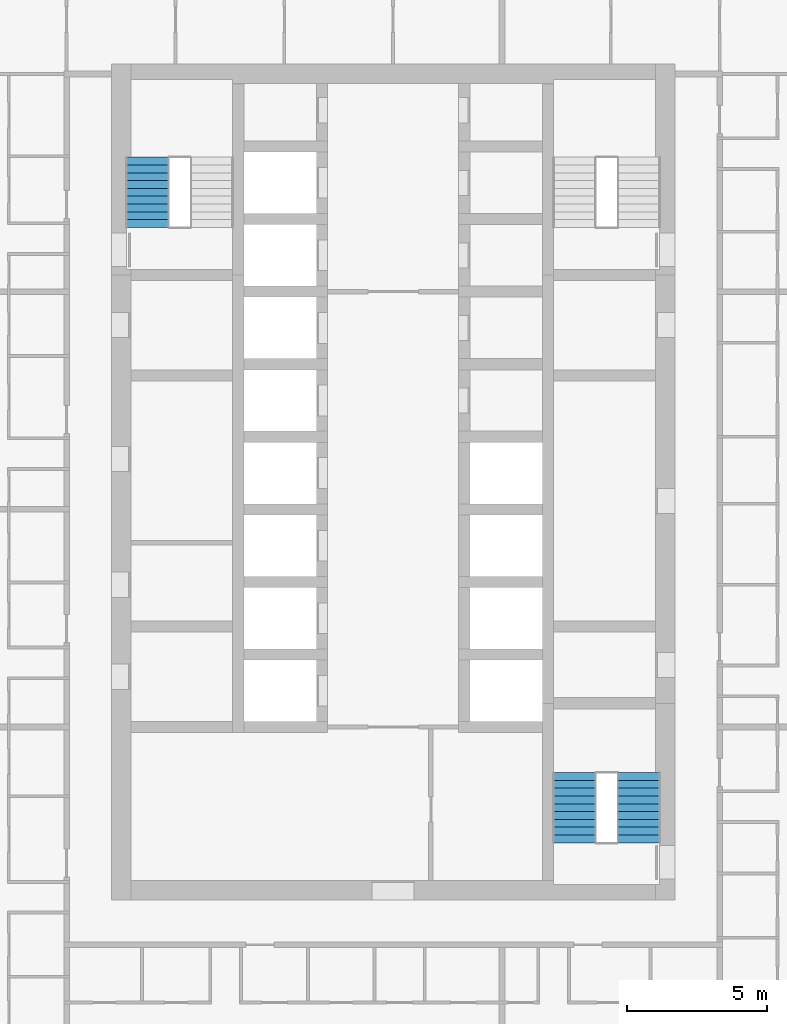
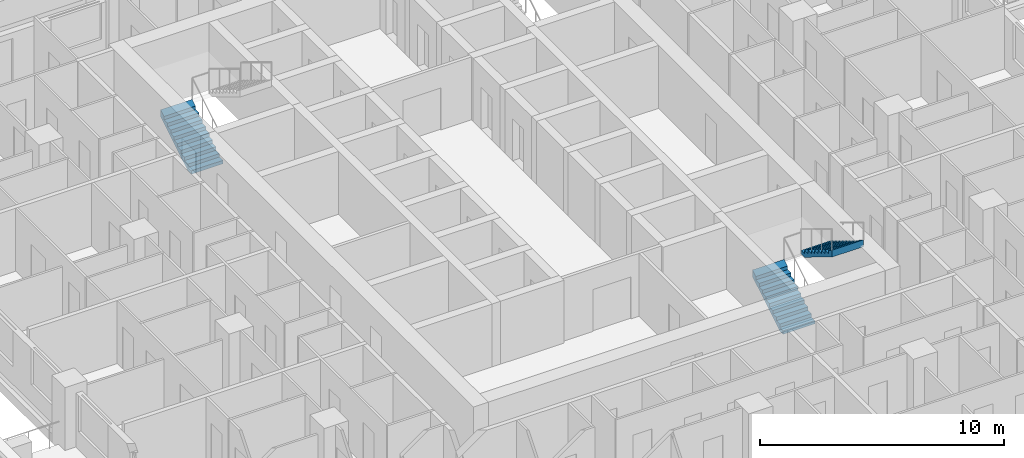
# One storey, part 14 of 18: 3 stair flights, 2 elements without a shape of their own.
"""IFC4 building model written with IfcOpenShell, lengths in metres."""

from ifc_helpers import new_model, si_unit, direction, frame, origin, place, context, subcontext, project, spatial, triangles, material, type_object, element, aggregate, save


model = new_model("IFC4")

# Units and contexts
model_context = context("Model", 3, precision=1e-05, world=origin(), true_north=direction((0.0, 1.0)))
body_context = subcontext(model_context, "Body", "Model", "MODEL_VIEW")
ifc_project = project(units=[si_unit("LENGTHUNIT", "METRE"), si_unit("AREAUNIT", "SQUARE_METRE"), si_unit("VOLUMEUNIT", "CUBIC_METRE"), si_unit("PLANEANGLEUNIT", "RADIAN"), si_unit("MASSUNIT", "GRAM", prefix="KILO")], contexts=[model_context])

# Site, building, storey
site_placement = place(None, origin())
site = spatial("IfcSite", under=ifc_project, at=site_placement, CompositionType="ELEMENT")
building_placement = place(site_placement, origin())
building = spatial("IfcBuilding", under=site, at=building_placement, Name="Ludao Terraces", CompositionType="ELEMENT")
storey_placement = place(building_placement, frame((0.0, 0.0, 26.300048828125)))
storey = spatial("IfcBuildingStorey", under=building, at=storey_placement, Name="L06", CompositionType="ELEMENT", Elevation=26.300048828125)

# Stair, stair flight
ifc_material = material(Name="Concrete C40", Category="concrete")
stair_type = type_object("IfcStairType", Name="INT Stair", PredefinedType="HALF_TURN_STAIR", material=ifc_material)
stair_1_placement = place(storey_placement, origin())
stair_1 = element("IfcStair", 1, at=stair_1_placement, inside=storey, type_object=stair_type, Name="EXIT STAIR 1", PredefinedType="HALF_TURN_STAIR")
stair_flight_type = type_object("IfcStairFlightType", Name="INT Stair flight", PredefinedType="STRAIGHT", material=ifc_material)
stair_flight_1_placement = place(storey_placement, frame((76.199951171875, 79.0, 0.0), z_axis=(0.0, 0.0, 1.0), x_axis=(0.0, 1.0, 0.0)))
stair_flight_1 = element("IfcStairFlight", 2, at=stair_flight_1_placement, type_object=stair_flight_type, Name="ST1 flight 1", NumberOfRisers=10, NumberOfTreads=9, PredefinedType="STRAIGHT", RiserHeight=0.17, TreadLength=0.28, context=body_context, shape_type="Tessellation", body=[
    triangles([(0.0, -0.75, 0.0), (0.0, -0.5, 0.0), (0.0, -0.25, 0.0), (0.0, 0.0, 0.0), (0.0, 0.25, 0.0), (0.0, 0.5, 0.0), (0.0, 0.75, 0.0), (0.0, -0.75, 0.169921875), (0.0, -0.5, 0.169921875), (0.0, -0.25, 0.169921875), (0.0, 0.0, 0.169921875), (0.0, 0.25, 0.169921875), (0.0, 0.5, 0.169921875), (0.0, 0.75, 0.169921875), (0.280029296875, -0.75, 0.169921875), (0.280029296875, -0.5, 0.169921875), (0.280029296875, -0.25, 0.169921875), (0.280029296875, 0.0, 0.169921875), (0.280029296875, 0.25, 0.169921875), (0.280029296875, 0.5, 0.169921875), (0.280029296875, 0.75, 0.169921875), (0.280029296875, -0.75, 0.340087890625), (0.280029296875, -0.5, 0.340087890625), (0.280029296875, -0.25, 0.340087890625), (0.280029296875, 0.0, 0.340087890625), (0.280029296875, 0.25, 0.340087890625), (0.280029296875, 0.5, 0.340087890625), (0.280029296875, 0.75, 0.340087890625), (0.56005859375, -0.75, 0.340087890625), (0.56005859375, -0.5, 0.340087890625), (0.56005859375, -0.25, 0.340087890625), (0.56005859375, 0.0, 0.340087890625), (0.56005859375, 0.25, 0.340087890625), (0.56005859375, 0.5, 0.340087890625), (0.56005859375, 0.75, 0.340087890625), (0.56005859375, -0.75, 0.510009765625), (0.56005859375, -0.5, 0.510009765625), (0.56005859375, -0.25, 0.510009765625), (0.56005859375, 0.0, 0.510009765625), (0.56005859375, 0.25, 0.510009765625), (0.56005859375, 0.5, 0.510009765625), (0.56005859375, 0.75, 0.510009765625), (0.840087890625, -0.75, 0.510009765625), (0.840087890625, -0.5, 0.510009765625), (0.840087890625, -0.25, 0.510009765625), (0.840087890625, 0.0, 0.510009765625), (0.840087890625, 0.25, 0.510009765625), (0.840087890625, 0.5, 0.510009765625), (0.840087890625, 0.75, 0.510009765625), (0.840087890625, -0.75, 0.679931640625), (0.840087890625, -0.5, 0.679931640625), (0.840087890625, -0.25, 0.679931640625), (0.840087890625, 0.0, 0.679931640625), (0.840087890625, 0.25, 0.679931640625), (0.840087890625, 0.5, 0.679931640625), (0.840087890625, 0.75, 0.679931640625), (1.1201171875, -0.75, 0.679931640625), (1.1201171875, -0.5, 0.679931640625), (1.1201171875, -0.25, 0.679931640625), (1.1201171875, 0.0, 0.679931640625), (1.1201171875, 0.25, 0.679931640625), (1.1201171875, 0.5, 0.679931640625), (1.1201171875, 0.75, 0.679931640625), (1.1201171875, -0.75, 0.85009765625), (1.1201171875, -0.5, 0.85009765625), (1.1201171875, -0.25, 0.85009765625), (1.1201171875, 0.0, 0.85009765625), (1.1201171875, 0.25, 0.85009765625), (1.1201171875, 0.5, 0.85009765625), (1.1201171875, 0.75, 0.85009765625), (1.39990234375, -0.75, 0.85009765625), (1.39990234375, -0.5, 0.85009765625), (1.39990234375, -0.25, 0.85009765625), (1.39990234375, 0.0, 0.85009765625), (1.39990234375, 0.25, 0.85009765625), (1.39990234375, 0.5, 0.85009765625), (1.39990234375, 0.75, 0.85009765625), (1.39990234375, -0.75, 1.02001953125), (1.39990234375, -0.5, 1.02001953125), (1.39990234375, -0.25, 1.02001953125), (1.39990234375, 0.0, 1.02001953125), (1.39990234375, 0.25, 1.02001953125), (1.39990234375, 0.5, 1.02001953125), (1.39990234375, 0.75, 1.02001953125), (1.679931640625, -0.75, 1.02001953125), (1.679931640625, -0.5, 1.02001953125), (1.679931640625, -0.25, 1.02001953125), (1.679931640625, 0.0, 1.02001953125), (1.679931640625, 0.25, 1.02001953125), (1.679931640625, 0.5, 1.02001953125), (1.679931640625, 0.75, 1.02001953125), (1.679931640625, -0.75, 1.18994140625), (1.679931640625, -0.5, 1.18994140625), (1.679931640625, -0.25, 1.18994140625), (1.679931640625, 0.0, 1.18994140625), (1.679931640625, 0.25, 1.18994140625), (1.679931640625, 0.5, 1.18994140625), (1.679931640625, 0.75, 1.18994140625), (1.9599609375, -0.75, 1.18994140625), (1.9599609375, -0.5, 1.18994140625), (1.9599609375, -0.25, 1.18994140625), (1.9599609375, 0.0, 1.18994140625), (1.9599609375, 0.25, 1.18994140625), (1.9599609375, 0.5, 1.18994140625), (1.9599609375, 0.75, 1.18994140625), (1.9599609375, -0.75, 1.360107421875), (1.9599609375, -0.5, 1.360107421875), (1.9599609375, -0.25, 1.360107421875), (1.9599609375, 0.0, 1.360107421875), (1.9599609375, 0.25, 1.360107421875), (1.9599609375, 0.5, 1.360107421875), (1.9599609375, 0.75, 1.360107421875), (2.239990234375, -0.75, 1.360107421875), (2.239990234375, -0.5, 1.360107421875), (2.239990234375, -0.25, 1.360107421875), (2.239990234375, 0.0, 1.360107421875), (2.239990234375, 0.25, 1.360107421875), (2.239990234375, 0.5, 1.360107421875), (2.239990234375, 0.75, 1.360107421875), (2.239990234375, -0.75, 1.530029296875), (2.239990234375, -0.5, 1.530029296875), (2.239990234375, -0.25, 1.530029296875), (2.239990234375, 0.0, 1.530029296875), (2.239990234375, 0.25, 1.530029296875), (2.239990234375, 0.5, 1.530029296875), (2.239990234375, 0.75, 1.530029296875), (2.52001953125, -0.75, 1.699951171875), (2.52001953125, -0.5, 1.699951171875), (2.52001953125, -0.25, 1.699951171875), (2.52001953125, 0.0, 1.699951171875), (2.52001953125, 0.25, 1.699951171875), (2.52001953125, 0.5, 1.699951171875), (2.52001953125, 0.75, 1.699951171875), (2.52001953125, -0.75, 1.354736328125), (2.52001953125, -0.5, 1.354736328125), (2.52001953125, -0.25, 1.354736328125), (2.52001953125, 0.0, 1.354736328125), (2.52001953125, 0.25, 1.354736328125), (2.52001953125, 0.5, 1.354736328125), (2.52001953125, 0.75, 1.354736328125), (0.288818359375, -0.75, 0.0), (0.288818359375, -0.5, 0.0), (0.288818359375, -0.25, 0.0), (0.288818359375, 0.0, 0.0), (0.288818359375, 0.25, 0.0), (0.288818359375, 0.5, 0.0), (0.288818359375, 0.75, 0.0)], [[1, 141, 134], [7, 140, 147], [134, 127, 120], [140, 126, 133], [134, 120, 113], [140, 119, 126], [134, 113, 106], [140, 112, 119], [134, 106, 99], [140, 105, 112], [99, 92, 85], [105, 91, 98], [134, 99, 85], [140, 91, 105], [85, 78, 71], [91, 77, 84], [134, 85, 71], [140, 77, 91], [71, 64, 57], [77, 63, 70], [134, 71, 57], [140, 63, 77], [57, 50, 43], [63, 49, 56], [134, 57, 43], [140, 49, 63], [43, 36, 29], [49, 35, 42], [134, 43, 29], [140, 35, 49], [29, 22, 15], [35, 21, 28], [134, 29, 15], [140, 21, 35], [1, 134, 15], [7, 21, 140], [15, 8, 1], [21, 7, 14], [1, 9, 2], [1, 8, 9], [2, 10, 3], [2, 9, 10], [3, 11, 4], [3, 10, 11], [4, 12, 5], [4, 11, 12], [5, 13, 6], [5, 12, 13], [6, 14, 7], [6, 13, 14], [8, 16, 9], [8, 15, 16], [9, 17, 10], [9, 16, 17], [10, 18, 11], [10, 17, 18], [11, 19, 12], [11, 18, 19], [12, 20, 13], [12, 19, 20], [13, 21, 14], [13, 20, 21], [15, 23, 16], [15, 22, 23], [16, 24, 17], [16, 23, 24], [17, 25, 18], [17, 24, 25], [18, 26, 19], [18, 25, 26], [19, 27, 20], [19, 26, 27], [20, 28, 21], [20, 27, 28], [22, 30, 23], [22, 29, 30], [23, 31, 24], [23, 30, 31], [24, 32, 25], [24, 31, 32], [25, 33, 26], [25, 32, 33], [26, 34, 27], [26, 33, 34], [27, 35, 28], [27, 34, 35], [29, 37, 30], [29, 36, 37], [30, 38, 31], [30, 37, 38], [31, 39, 32], [31, 38, 39], [32, 40, 33], [32, 39, 40], [33, 41, 34], [33, 40, 41], [34, 42, 35], [34, 41, 42], [36, 44, 37], [36, 43, 44], [37, 45, 38], [37, 44, 45], [38, 46, 39], [38, 45, 46], [39, 47, 40], [39, 46, 47], [40, 48, 41], [40, 47, 48], [41, 49, 42], [41, 48, 49], [43, 51, 44], [43, 50, 51], [44, 52, 45], [44, 51, 52], [45, 53, 46], [45, 52, 53], [46, 54, 47], [46, 53, 54], [47, 55, 48], [47, 54, 55], [48, 56, 49], [48, 55, 56], [50, 58, 51], [50, 57, 58], [51, 59, 52], [51, 58, 59], [52, 60, 53], [52, 59, 60], [53, 61, 54], [53, 60, 61], [54, 62, 55], [54, 61, 62], [55, 63, 56], [55, 62, 63], [57, 65, 58], [57, 64, 65], [58, 66, 59], [58, 65, 66], [59, 67, 60], [59, 66, 67], [60, 68, 61], [60, 67, 68], [61, 69, 62], [61, 68, 69], [62, 70, 63], [62, 69, 70], [64, 72, 65], [64, 71, 72], [65, 73, 66], [65, 72, 73], [66, 74, 67], [66, 73, 74], [67, 75, 68], [67, 74, 75], [68, 76, 69], [68, 75, 76], [69, 77, 70], [69, 76, 77], [71, 79, 72], [71, 78, 79], [72, 80, 73], [72, 79, 80], [73, 81, 74], [73, 80, 81], [74, 82, 75], [74, 81, 82], [75, 83, 76], [75, 82, 83], [76, 84, 77], [76, 83, 84], [78, 86, 79], [78, 85, 86], [79, 87, 80], [79, 86, 87], [80, 88, 81], [80, 87, 88], [81, 89, 82], [81, 88, 89], [82, 90, 83], [82, 89, 90], [83, 91, 84], [83, 90, 91], [85, 93, 86], [85, 92, 93], [86, 94, 87], [86, 93, 94], [87, 95, 88], [87, 94, 95], [88, 96, 89], [88, 95, 96], [89, 97, 90], [89, 96, 97], [90, 98, 91], [90, 97, 98], [92, 100, 93], [92, 99, 100], [93, 101, 94], [93, 100, 101], [94, 102, 95], [94, 101, 102], [95, 103, 96], [95, 102, 103], [96, 104, 97], [96, 103, 104], [97, 105, 98], [97, 104, 105], [99, 107, 100], [99, 106, 107], [100, 108, 101], [100, 107, 108], [101, 109, 102], [101, 108, 109], [102, 110, 103], [102, 109, 110], [103, 111, 104], [103, 110, 111], [104, 112, 105], [104, 111, 112], [106, 114, 107], [106, 113, 114], [107, 115, 108], [107, 114, 115], [108, 116, 109], [108, 115, 116], [109, 117, 110], [109, 116, 117], [110, 118, 111], [110, 117, 118], [111, 119, 112], [111, 118, 119], [113, 121, 114], [113, 120, 121], [114, 122, 115], [114, 121, 122], [115, 123, 116], [115, 122, 123], [116, 124, 117], [116, 123, 124], [117, 125, 118], [117, 124, 125], [118, 126, 119], [118, 125, 126], [120, 128, 121], [120, 127, 128], [121, 129, 122], [121, 128, 129], [122, 130, 123], [122, 129, 130], [123, 131, 124], [123, 130, 131], [124, 132, 125], [124, 131, 132], [125, 133, 126], [125, 132, 133], [127, 135, 128], [127, 134, 135], [128, 136, 129], [128, 135, 136], [129, 137, 130], [129, 136, 137], [130, 138, 131], [130, 137, 138], [131, 139, 132], [131, 138, 139], [132, 140, 133], [132, 139, 140], [134, 142, 135], [134, 141, 142], [135, 143, 136], [135, 142, 143], [136, 144, 137], [136, 143, 144], [137, 145, 138], [137, 144, 145], [138, 146, 139], [138, 145, 146], [139, 147, 140], [139, 146, 147], [141, 2, 142], [141, 1, 2], [142, 3, 143], [142, 2, 3], [143, 4, 144], [143, 3, 4], [144, 5, 145], [144, 4, 5], [145, 6, 146], [145, 5, 6], [146, 7, 147], [146, 6, 7]], closed=True),
])
aggregate(stair_1, [stair_flight_1])

# Stair, stair flights
stair_2_placement = place(storey_placement, origin())
stair_2 = element("IfcStair", 3, at=stair_2_placement, inside=storey, type_object=stair_type, Name="EXIT STAIR 3", PredefinedType="HALF_TURN_STAIR")
stair_flight_2_placement = place(storey_placement, frame((91.5, 56.949951171875, 0.0), z_axis=(0.0, 0.0, 1.0), x_axis=(0.0, 1.0, 0.0)))
stair_flight_2 = element("IfcStairFlight", 4, at=stair_flight_2_placement, type_object=stair_flight_type, Name="ST3 flight 1", NumberOfRisers=10, NumberOfTreads=9, PredefinedType="STRAIGHT", RiserHeight=0.17, TreadLength=0.28, context=body_context, shape_type="Tessellation", body=[
    triangles([(0.0, -0.75, 0.0), (0.0, -0.5, 0.0), (0.0, -0.25, 0.0), (0.0, 0.0, 0.0), (0.0, 0.25, 0.0), (0.0, 0.5, 0.0), (0.0, 0.75, 0.0), (0.0, -0.75, 0.169921875), (0.0, -0.5, 0.169921875), (0.0, -0.25, 0.169921875), (0.0, 0.0, 0.169921875), (0.0, 0.25, 0.169921875), (0.0, 0.5, 0.169921875), (0.0, 0.75, 0.169921875), (0.280029296875, -0.75, 0.169921875), (0.280029296875, -0.5, 0.169921875), (0.280029296875, -0.25, 0.169921875), (0.280029296875, 0.0, 0.169921875), (0.280029296875, 0.25, 0.169921875), (0.280029296875, 0.5, 0.169921875), (0.280029296875, 0.75, 0.169921875), (0.280029296875, -0.75, 0.340087890625), (0.280029296875, -0.5, 0.340087890625), (0.280029296875, -0.25, 0.340087890625), (0.280029296875, 0.0, 0.340087890625), (0.280029296875, 0.25, 0.340087890625), (0.280029296875, 0.5, 0.340087890625), (0.280029296875, 0.75, 0.340087890625), (0.56005859375, -0.75, 0.340087890625), (0.56005859375, -0.5, 0.340087890625), (0.56005859375, -0.25, 0.340087890625), (0.56005859375, 0.0, 0.340087890625), (0.56005859375, 0.25, 0.340087890625), (0.56005859375, 0.5, 0.340087890625), (0.56005859375, 0.75, 0.340087890625), (0.56005859375, -0.75, 0.510009765625), (0.56005859375, -0.5, 0.510009765625), (0.56005859375, -0.25, 0.510009765625), (0.56005859375, 0.0, 0.510009765625), (0.56005859375, 0.25, 0.510009765625), (0.56005859375, 0.5, 0.510009765625), (0.56005859375, 0.75, 0.510009765625), (0.840087890625, -0.75, 0.510009765625), (0.840087890625, -0.5, 0.510009765625), (0.840087890625, -0.25, 0.510009765625), (0.840087890625, 0.0, 0.510009765625), (0.840087890625, 0.25, 0.510009765625), (0.840087890625, 0.5, 0.510009765625), (0.840087890625, 0.75, 0.510009765625), (0.840087890625, -0.75, 0.679931640625), (0.840087890625, -0.5, 0.679931640625), (0.840087890625, -0.25, 0.679931640625), (0.840087890625, 0.0, 0.679931640625), (0.840087890625, 0.25, 0.679931640625), (0.840087890625, 0.5, 0.679931640625), (0.840087890625, 0.75, 0.679931640625), (1.1201171875, -0.75, 0.679931640625), (1.1201171875, -0.5, 0.679931640625), (1.1201171875, -0.25, 0.679931640625), (1.1201171875, 0.0, 0.679931640625), (1.1201171875, 0.25, 0.679931640625), (1.1201171875, 0.5, 0.679931640625), (1.1201171875, 0.75, 0.679931640625), (1.1201171875, -0.75, 0.85009765625), (1.1201171875, -0.5, 0.85009765625), (1.1201171875, -0.25, 0.85009765625), (1.1201171875, 0.0, 0.85009765625), (1.1201171875, 0.25, 0.85009765625), (1.1201171875, 0.5, 0.85009765625), (1.1201171875, 0.75, 0.85009765625), (1.39990234375, -0.75, 0.85009765625), (1.39990234375, -0.5, 0.85009765625), (1.39990234375, -0.25, 0.85009765625), (1.39990234375, 0.0, 0.85009765625), (1.39990234375, 0.25, 0.85009765625), (1.39990234375, 0.5, 0.85009765625), (1.39990234375, 0.75, 0.85009765625), (1.39990234375, -0.75, 1.02001953125), (1.39990234375, -0.5, 1.02001953125), (1.39990234375, -0.25, 1.02001953125), (1.39990234375, 0.0, 1.02001953125), (1.39990234375, 0.25, 1.02001953125), (1.39990234375, 0.5, 1.02001953125), (1.39990234375, 0.75, 1.02001953125), (1.679931640625, -0.75, 1.02001953125), (1.679931640625, -0.5, 1.02001953125), (1.679931640625, -0.25, 1.02001953125), (1.679931640625, 0.0, 1.02001953125), (1.679931640625, 0.25, 1.02001953125), (1.679931640625, 0.5, 1.02001953125), (1.679931640625, 0.75, 1.02001953125), (1.679931640625, -0.75, 1.18994140625), (1.679931640625, -0.5, 1.18994140625), (1.679931640625, -0.25, 1.18994140625), (1.679931640625, 0.0, 1.18994140625), (1.679931640625, 0.25, 1.18994140625), (1.679931640625, 0.5, 1.18994140625), (1.679931640625, 0.75, 1.18994140625), (1.9599609375, -0.75, 1.18994140625), (1.9599609375, -0.5, 1.18994140625), (1.9599609375, -0.25, 1.18994140625), (1.9599609375, 0.0, 1.18994140625), (1.9599609375, 0.25, 1.18994140625), (1.9599609375, 0.5, 1.18994140625), (1.9599609375, 0.75, 1.18994140625), (1.9599609375, -0.75, 1.360107421875), (1.9599609375, -0.5, 1.360107421875), (1.9599609375, -0.25, 1.360107421875), (1.9599609375, 0.0, 1.360107421875), (1.9599609375, 0.25, 1.360107421875), (1.9599609375, 0.5, 1.360107421875), (1.9599609375, 0.75, 1.360107421875), (2.239990234375, -0.75, 1.360107421875), (2.239990234375, -0.5, 1.360107421875), (2.239990234375, -0.25, 1.360107421875), (2.239990234375, 0.0, 1.360107421875), (2.239990234375, 0.25, 1.360107421875), (2.239990234375, 0.5, 1.360107421875), (2.239990234375, 0.75, 1.360107421875), (2.239990234375, -0.75, 1.530029296875), (2.239990234375, -0.5, 1.530029296875), (2.239990234375, -0.25, 1.530029296875), (2.239990234375, 0.0, 1.530029296875), (2.239990234375, 0.25, 1.530029296875), (2.239990234375, 0.5, 1.530029296875), (2.239990234375, 0.75, 1.530029296875), (2.52001953125, -0.75, 1.699951171875), (2.52001953125, -0.5, 1.699951171875), (2.52001953125, -0.25, 1.699951171875), (2.52001953125, 0.0, 1.699951171875), (2.52001953125, 0.25, 1.699951171875), (2.52001953125, 0.5, 1.699951171875), (2.52001953125, 0.75, 1.699951171875), (2.52001953125, -0.75, 1.354736328125), (2.52001953125, -0.5, 1.354736328125), (2.52001953125, -0.25, 1.354736328125), (2.52001953125, 0.0, 1.354736328125), (2.52001953125, 0.25, 1.354736328125), (2.52001953125, 0.5, 1.354736328125), (2.52001953125, 0.75, 1.354736328125), (0.288818359375, -0.75, 0.0), (0.288818359375, -0.5, 0.0), (0.288818359375, -0.25, 0.0), (0.288818359375, 0.0, 0.0), (0.288818359375, 0.25, 0.0), (0.288818359375, 0.5, 0.0), (0.288818359375, 0.75, 0.0)], [[1, 141, 134], [7, 140, 147], [134, 127, 120], [140, 126, 133], [134, 120, 113], [140, 119, 126], [134, 113, 106], [140, 112, 119], [134, 106, 99], [140, 105, 112], [99, 92, 85], [105, 91, 98], [134, 99, 85], [140, 91, 105], [85, 78, 71], [91, 77, 84], [134, 85, 71], [140, 77, 91], [71, 64, 57], [77, 63, 70], [134, 71, 57], [140, 63, 77], [57, 50, 43], [63, 49, 56], [134, 57, 43], [140, 49, 63], [43, 36, 29], [49, 35, 42], [134, 43, 29], [140, 35, 49], [29, 22, 15], [35, 21, 28], [134, 29, 15], [140, 21, 35], [1, 134, 15], [7, 21, 140], [15, 8, 1], [21, 7, 14], [1, 9, 2], [1, 8, 9], [2, 10, 3], [2, 9, 10], [3, 11, 4], [3, 10, 11], [4, 12, 5], [4, 11, 12], [5, 13, 6], [5, 12, 13], [6, 14, 7], [6, 13, 14], [8, 16, 9], [8, 15, 16], [9, 17, 10], [9, 16, 17], [10, 18, 11], [10, 17, 18], [11, 19, 12], [11, 18, 19], [12, 20, 13], [12, 19, 20], [13, 21, 14], [13, 20, 21], [15, 23, 16], [15, 22, 23], [16, 24, 17], [16, 23, 24], [17, 25, 18], [17, 24, 25], [18, 26, 19], [18, 25, 26], [19, 27, 20], [19, 26, 27], [20, 28, 21], [20, 27, 28], [22, 30, 23], [22, 29, 30], [23, 31, 24], [23, 30, 31], [24, 32, 25], [24, 31, 32], [25, 33, 26], [25, 32, 33], [26, 34, 27], [26, 33, 34], [27, 35, 28], [27, 34, 35], [29, 37, 30], [29, 36, 37], [30, 38, 31], [30, 37, 38], [31, 39, 32], [31, 38, 39], [32, 40, 33], [32, 39, 40], [33, 41, 34], [33, 40, 41], [34, 42, 35], [34, 41, 42], [36, 44, 37], [36, 43, 44], [37, 45, 38], [37, 44, 45], [38, 46, 39], [38, 45, 46], [39, 47, 40], [39, 46, 47], [40, 48, 41], [40, 47, 48], [41, 49, 42], [41, 48, 49], [43, 51, 44], [43, 50, 51], [44, 52, 45], [44, 51, 52], [45, 53, 46], [45, 52, 53], [46, 54, 47], [46, 53, 54], [47, 55, 48], [47, 54, 55], [48, 56, 49], [48, 55, 56], [50, 58, 51], [50, 57, 58], [51, 59, 52], [51, 58, 59], [52, 60, 53], [52, 59, 60], [53, 61, 54], [53, 60, 61], [54, 62, 55], [54, 61, 62], [55, 63, 56], [55, 62, 63], [57, 65, 58], [57, 64, 65], [58, 66, 59], [58, 65, 66], [59, 67, 60], [59, 66, 67], [60, 68, 61], [60, 67, 68], [61, 69, 62], [61, 68, 69], [62, 70, 63], [62, 69, 70], [64, 72, 65], [64, 71, 72], [65, 73, 66], [65, 72, 73], [66, 74, 67], [66, 73, 74], [67, 75, 68], [67, 74, 75], [68, 76, 69], [68, 75, 76], [69, 77, 70], [69, 76, 77], [71, 79, 72], [71, 78, 79], [72, 80, 73], [72, 79, 80], [73, 81, 74], [73, 80, 81], [74, 82, 75], [74, 81, 82], [75, 83, 76], [75, 82, 83], [76, 84, 77], [76, 83, 84], [78, 86, 79], [78, 85, 86], [79, 87, 80], [79, 86, 87], [80, 88, 81], [80, 87, 88], [81, 89, 82], [81, 88, 89], [82, 90, 83], [82, 89, 90], [83, 91, 84], [83, 90, 91], [85, 93, 86], [85, 92, 93], [86, 94, 87], [86, 93, 94], [87, 95, 88], [87, 94, 95], [88, 96, 89], [88, 95, 96], [89, 97, 90], [89, 96, 97], [90, 98, 91], [90, 97, 98], [92, 100, 93], [92, 99, 100], [93, 101, 94], [93, 100, 101], [94, 102, 95], [94, 101, 102], [95, 103, 96], [95, 102, 103], [96, 104, 97], [96, 103, 104], [97, 105, 98], [97, 104, 105], [99, 107, 100], [99, 106, 107], [100, 108, 101], [100, 107, 108], [101, 109, 102], [101, 108, 109], [102, 110, 103], [102, 109, 110], [103, 111, 104], [103, 110, 111], [104, 112, 105], [104, 111, 112], [106, 114, 107], [106, 113, 114], [107, 115, 108], [107, 114, 115], [108, 116, 109], [108, 115, 116], [109, 117, 110], [109, 116, 117], [110, 118, 111], [110, 117, 118], [111, 119, 112], [111, 118, 119], [113, 121, 114], [113, 120, 121], [114, 122, 115], [114, 121, 122], [115, 123, 116], [115, 122, 123], [116, 124, 117], [116, 123, 124], [117, 125, 118], [117, 124, 125], [118, 126, 119], [118, 125, 126], [120, 128, 121], [120, 127, 128], [121, 129, 122], [121, 128, 129], [122, 130, 123], [122, 129, 130], [123, 131, 124], [123, 130, 131], [124, 132, 125], [124, 131, 132], [125, 133, 126], [125, 132, 133], [127, 135, 128], [127, 134, 135], [128, 136, 129], [128, 135, 136], [129, 137, 130], [129, 136, 137], [130, 138, 131], [130, 137, 138], [131, 139, 132], [131, 138, 139], [132, 140, 133], [132, 139, 140], [134, 142, 135], [134, 141, 142], [135, 143, 136], [135, 142, 143], [136, 144, 137], [136, 143, 144], [137, 145, 138], [137, 144, 145], [138, 146, 139], [138, 145, 146], [139, 147, 140], [139, 146, 147], [141, 2, 142], [141, 1, 2], [142, 3, 143], [142, 2, 3], [143, 4, 144], [143, 3, 4], [144, 5, 145], [144, 4, 5], [145, 6, 146], [145, 5, 6], [146, 7, 147], [146, 6, 7]], closed=True),
])
stair_flight_3_placement = place(storey_placement, frame((93.800048828125, 59.469970703125, 1.699951171875), z_axis=(0.0, 0.0, 1.0), x_axis=(0.0, -1.0, 0.0)))
stair_flight_3 = element("IfcStairFlight", 5, at=stair_flight_3_placement, type_object=stair_flight_type, Name="ST3 flight 2", NumberOfRisers=10, NumberOfTreads=9, PredefinedType="STRAIGHT", RiserHeight=0.17, TreadLength=0.28, context=body_context, shape_type="Tessellation", body=[
    triangles([(0.0, -0.75, 0.0), (0.0, -0.5, 0.0), (0.0, -0.25, 0.0), (0.0, 0.0, 0.0), (0.0, 0.25, 0.0), (0.0, 0.5, 0.0), (0.0, 0.75, 0.0), (0.0, -0.75, 0.169921875), (0.0, -0.5, 0.169921875), (0.0, -0.25, 0.169921875), (0.0, 0.0, 0.169921875), (0.0, 0.25, 0.169921875), (0.0, 0.5, 0.169921875), (0.0, 0.75, 0.169921875), (0.280029296875, -0.75, 0.169921875), (0.280029296875, -0.5, 0.169921875), (0.280029296875, -0.25, 0.169921875), (0.280029296875, 0.0, 0.169921875), (0.280029296875, 0.25, 0.169921875), (0.280029296875, 0.5, 0.169921875), (0.280029296875, 0.75, 0.169921875), (0.280029296875, -0.75, 0.340087890625), (0.280029296875, -0.5, 0.340087890625), (0.280029296875, -0.25, 0.340087890625), (0.280029296875, 0.0, 0.340087890625), (0.280029296875, 0.25, 0.340087890625), (0.280029296875, 0.5, 0.340087890625), (0.280029296875, 0.75, 0.340087890625), (0.56005859375, -0.75, 0.340087890625), (0.56005859375, -0.5, 0.340087890625), (0.56005859375, -0.25, 0.340087890625), (0.56005859375, 0.0, 0.340087890625), (0.56005859375, 0.25, 0.340087890625), (0.56005859375, 0.5, 0.340087890625), (0.56005859375, 0.75, 0.340087890625), (0.56005859375, -0.75, 0.510009765625), (0.56005859375, -0.5, 0.510009765625), (0.56005859375, -0.25, 0.510009765625), (0.56005859375, 0.0, 0.510009765625), (0.56005859375, 0.25, 0.510009765625), (0.56005859375, 0.5, 0.510009765625), (0.56005859375, 0.75, 0.510009765625), (0.840087890625, -0.75, 0.510009765625), (0.840087890625, -0.5, 0.510009765625), (0.840087890625, -0.25, 0.510009765625), (0.840087890625, 0.0, 0.510009765625), (0.840087890625, 0.25, 0.510009765625), (0.840087890625, 0.5, 0.510009765625), (0.840087890625, 0.75, 0.510009765625), (0.840087890625, -0.75, 0.679931640625), (0.840087890625, -0.5, 0.679931640625), (0.840087890625, -0.25, 0.679931640625), (0.840087890625, 0.0, 0.679931640625), (0.840087890625, 0.25, 0.679931640625), (0.840087890625, 0.5, 0.679931640625), (0.840087890625, 0.75, 0.679931640625), (1.1201171875, -0.75, 0.679931640625), (1.1201171875, -0.5, 0.679931640625), (1.1201171875, -0.25, 0.679931640625), (1.1201171875, 0.0, 0.679931640625), (1.1201171875, 0.25, 0.679931640625), (1.1201171875, 0.5, 0.679931640625), (1.1201171875, 0.75, 0.679931640625), (1.1201171875, -0.75, 0.85009765625), (1.1201171875, -0.5, 0.85009765625), (1.1201171875, -0.25, 0.85009765625), (1.1201171875, 0.0, 0.85009765625), (1.1201171875, 0.25, 0.85009765625), (1.1201171875, 0.5, 0.85009765625), (1.1201171875, 0.75, 0.85009765625), (1.39990234375, -0.75, 0.85009765625), (1.39990234375, -0.5, 0.85009765625), (1.39990234375, -0.25, 0.85009765625), (1.39990234375, 0.0, 0.85009765625), (1.39990234375, 0.25, 0.85009765625), (1.39990234375, 0.5, 0.85009765625), (1.39990234375, 0.75, 0.85009765625), (1.39990234375, -0.75, 1.02001953125), (1.39990234375, -0.5, 1.02001953125), (1.39990234375, -0.25, 1.02001953125), (1.39990234375, 0.0, 1.02001953125), (1.39990234375, 0.25, 1.02001953125), (1.39990234375, 0.5, 1.02001953125), (1.39990234375, 0.75, 1.02001953125), (1.679931640625, -0.75, 1.02001953125), (1.679931640625, -0.5, 1.02001953125), (1.679931640625, -0.25, 1.02001953125), (1.679931640625, 0.0, 1.02001953125), (1.679931640625, 0.25, 1.02001953125), (1.679931640625, 0.5, 1.02001953125), (1.679931640625, 0.75, 1.02001953125), (1.679931640625, -0.75, 1.18994140625), (1.679931640625, -0.5, 1.18994140625), (1.679931640625, -0.25, 1.18994140625), (1.679931640625, 0.0, 1.18994140625), (1.679931640625, 0.25, 1.18994140625), (1.679931640625, 0.5, 1.18994140625), (1.679931640625, 0.75, 1.18994140625), (1.9599609375, -0.75, 1.18994140625), (1.9599609375, -0.5, 1.18994140625), (1.9599609375, -0.25, 1.18994140625), (1.9599609375, 0.0, 1.18994140625), (1.9599609375, 0.25, 1.18994140625), (1.9599609375, 0.5, 1.18994140625), (1.9599609375, 0.75, 1.18994140625), (1.9599609375, -0.75, 1.360107421875), (1.9599609375, -0.5, 1.360107421875), (1.9599609375, -0.25, 1.360107421875), (1.9599609375, 0.0, 1.360107421875), (1.9599609375, 0.25, 1.360107421875), (1.9599609375, 0.5, 1.360107421875), (1.9599609375, 0.75, 1.360107421875), (2.239990234375, -0.75, 1.360107421875), (2.239990234375, -0.5, 1.360107421875), (2.239990234375, -0.25, 1.360107421875), (2.239990234375, 0.0, 1.360107421875), (2.239990234375, 0.25, 1.360107421875), (2.239990234375, 0.5, 1.360107421875), (2.239990234375, 0.75, 1.360107421875), (2.239990234375, -0.75, 1.530029296875), (2.239990234375, -0.5, 1.530029296875), (2.239990234375, -0.25, 1.530029296875), (2.239990234375, 0.0, 1.530029296875), (2.239990234375, 0.25, 1.530029296875), (2.239990234375, 0.5, 1.530029296875), (2.239990234375, 0.75, 1.530029296875), (2.52001953125, -0.75, 1.699951171875), (2.52001953125, -0.5, 1.699951171875), (2.52001953125, -0.25, 1.699951171875), (2.52001953125, 0.0, 1.699951171875), (2.52001953125, 0.25, 1.699951171875), (2.52001953125, 0.5, 1.699951171875), (2.52001953125, 0.75, 1.699951171875), (2.52001953125, -0.75, 1.354736328125), (2.52001953125, -0.5, 1.354736328125), (2.52001953125, -0.25, 1.354736328125), (2.52001953125, 0.0, 1.354736328125), (2.52001953125, 0.25, 1.354736328125), (2.52001953125, 0.5, 1.354736328125), (2.52001953125, 0.75, 1.354736328125), (0.288818359375, -0.75, 0.0), (0.288818359375, -0.5, 0.0), (0.288818359375, -0.25, 0.0), (0.288818359375, 0.0, 0.0), (0.288818359375, 0.25, 0.0), (0.288818359375, 0.5, 0.0), (0.288818359375, 0.75, 0.0)], [[1, 141, 134], [7, 140, 147], [134, 127, 120], [140, 126, 133], [134, 120, 113], [140, 119, 126], [134, 113, 106], [140, 112, 119], [134, 106, 99], [140, 105, 112], [99, 92, 85], [105, 91, 98], [134, 99, 85], [140, 91, 105], [85, 78, 71], [91, 77, 84], [134, 85, 71], [140, 77, 91], [71, 64, 57], [77, 63, 70], [134, 71, 57], [140, 63, 77], [57, 50, 43], [63, 49, 56], [134, 57, 43], [140, 49, 63], [43, 36, 29], [49, 35, 42], [134, 43, 29], [140, 35, 49], [29, 22, 15], [35, 21, 28], [134, 29, 15], [140, 21, 35], [1, 134, 15], [7, 21, 140], [15, 8, 1], [21, 7, 14], [1, 9, 2], [1, 8, 9], [2, 10, 3], [2, 9, 10], [3, 11, 4], [3, 10, 11], [4, 12, 5], [4, 11, 12], [5, 13, 6], [5, 12, 13], [6, 14, 7], [6, 13, 14], [8, 16, 9], [8, 15, 16], [9, 17, 10], [9, 16, 17], [10, 18, 11], [10, 17, 18], [11, 19, 12], [11, 18, 19], [12, 20, 13], [12, 19, 20], [13, 21, 14], [13, 20, 21], [15, 23, 16], [15, 22, 23], [16, 24, 17], [16, 23, 24], [17, 25, 18], [17, 24, 25], [18, 26, 19], [18, 25, 26], [19, 27, 20], [19, 26, 27], [20, 28, 21], [20, 27, 28], [22, 30, 23], [22, 29, 30], [23, 31, 24], [23, 30, 31], [24, 32, 25], [24, 31, 32], [25, 33, 26], [25, 32, 33], [26, 34, 27], [26, 33, 34], [27, 35, 28], [27, 34, 35], [29, 37, 30], [29, 36, 37], [30, 38, 31], [30, 37, 38], [31, 39, 32], [31, 38, 39], [32, 40, 33], [32, 39, 40], [33, 41, 34], [33, 40, 41], [34, 42, 35], [34, 41, 42], [36, 44, 37], [36, 43, 44], [37, 45, 38], [37, 44, 45], [38, 46, 39], [38, 45, 46], [39, 47, 40], [39, 46, 47], [40, 48, 41], [40, 47, 48], [41, 49, 42], [41, 48, 49], [43, 51, 44], [43, 50, 51], [44, 52, 45], [44, 51, 52], [45, 53, 46], [45, 52, 53], [46, 54, 47], [46, 53, 54], [47, 55, 48], [47, 54, 55], [48, 56, 49], [48, 55, 56], [50, 58, 51], [50, 57, 58], [51, 59, 52], [51, 58, 59], [52, 60, 53], [52, 59, 60], [53, 61, 54], [53, 60, 61], [54, 62, 55], [54, 61, 62], [55, 63, 56], [55, 62, 63], [57, 65, 58], [57, 64, 65], [58, 66, 59], [58, 65, 66], [59, 67, 60], [59, 66, 67], [60, 68, 61], [60, 67, 68], [61, 69, 62], [61, 68, 69], [62, 70, 63], [62, 69, 70], [64, 72, 65], [64, 71, 72], [65, 73, 66], [65, 72, 73], [66, 74, 67], [66, 73, 74], [67, 75, 68], [67, 74, 75], [68, 76, 69], [68, 75, 76], [69, 77, 70], [69, 76, 77], [71, 79, 72], [71, 78, 79], [72, 80, 73], [72, 79, 80], [73, 81, 74], [73, 80, 81], [74, 82, 75], [74, 81, 82], [75, 83, 76], [75, 82, 83], [76, 84, 77], [76, 83, 84], [78, 86, 79], [78, 85, 86], [79, 87, 80], [79, 86, 87], [80, 88, 81], [80, 87, 88], [81, 89, 82], [81, 88, 89], [82, 90, 83], [82, 89, 90], [83, 91, 84], [83, 90, 91], [85, 93, 86], [85, 92, 93], [86, 94, 87], [86, 93, 94], [87, 95, 88], [87, 94, 95], [88, 96, 89], [88, 95, 96], [89, 97, 90], [89, 96, 97], [90, 98, 91], [90, 97, 98], [92, 100, 93], [92, 99, 100], [93, 101, 94], [93, 100, 101], [94, 102, 95], [94, 101, 102], [95, 103, 96], [95, 102, 103], [96, 104, 97], [96, 103, 104], [97, 105, 98], [97, 104, 105], [99, 107, 100], [99, 106, 107], [100, 108, 101], [100, 107, 108], [101, 109, 102], [101, 108, 109], [102, 110, 103], [102, 109, 110], [103, 111, 104], [103, 110, 111], [104, 112, 105], [104, 111, 112], [106, 114, 107], [106, 113, 114], [107, 115, 108], [107, 114, 115], [108, 116, 109], [108, 115, 116], [109, 117, 110], [109, 116, 117], [110, 118, 111], [110, 117, 118], [111, 119, 112], [111, 118, 119], [113, 121, 114], [113, 120, 121], [114, 122, 115], [114, 121, 122], [115, 123, 116], [115, 122, 123], [116, 124, 117], [116, 123, 124], [117, 125, 118], [117, 124, 125], [118, 126, 119], [118, 125, 126], [120, 128, 121], [120, 127, 128], [121, 129, 122], [121, 128, 129], [122, 130, 123], [122, 129, 130], [123, 131, 124], [123, 130, 131], [124, 132, 125], [124, 131, 132], [125, 133, 126], [125, 132, 133], [127, 135, 128], [127, 134, 135], [128, 136, 129], [128, 135, 136], [129, 137, 130], [129, 136, 137], [130, 138, 131], [130, 137, 138], [131, 139, 132], [131, 138, 139], [132, 140, 133], [132, 139, 140], [134, 142, 135], [134, 141, 142], [135, 143, 136], [135, 142, 143], [136, 144, 137], [136, 143, 144], [137, 145, 138], [137, 144, 145], [138, 146, 139], [138, 145, 146], [139, 147, 140], [139, 146, 147], [141, 2, 142], [141, 1, 2], [142, 3, 143], [142, 2, 3], [143, 4, 144], [143, 3, 4], [144, 5, 145], [144, 4, 5], [145, 6, 146], [145, 5, 6], [146, 7, 147], [146, 6, 7]], closed=True),
])
aggregate(stair_2, [stair_flight_2, stair_flight_3])

save(model, "model.ifc")
